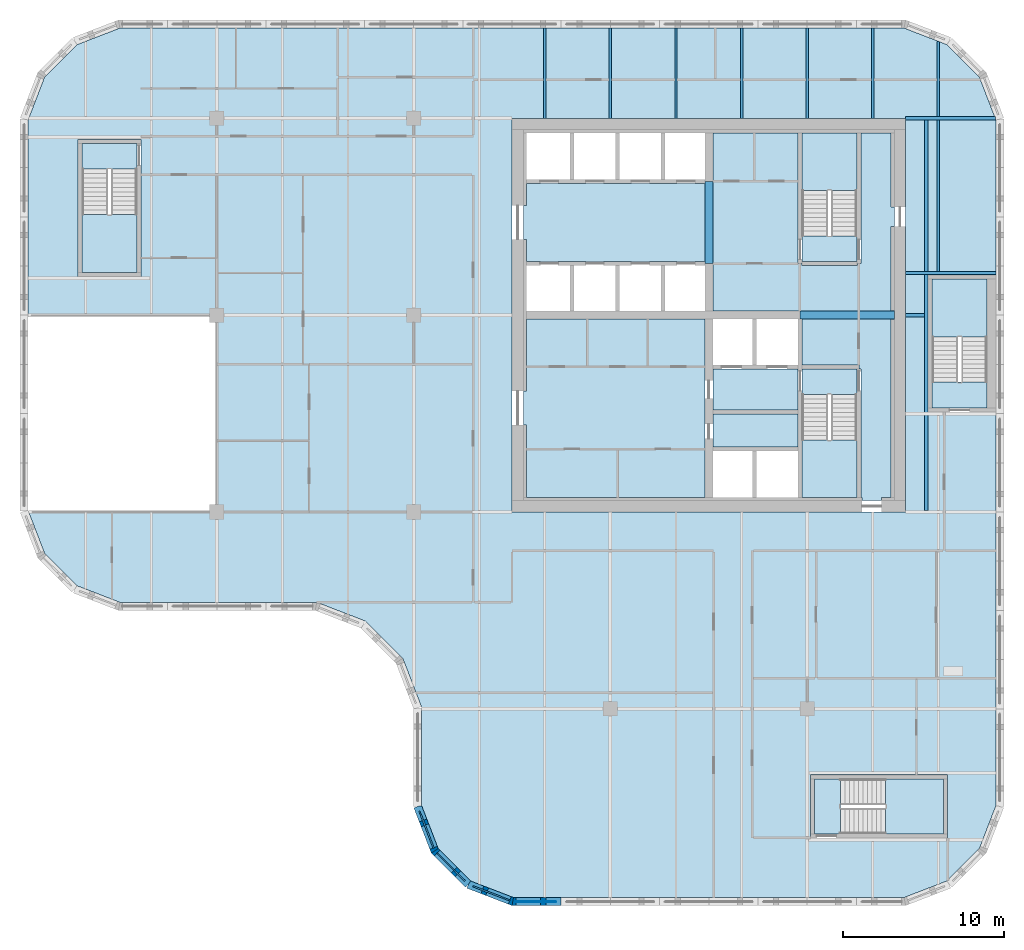
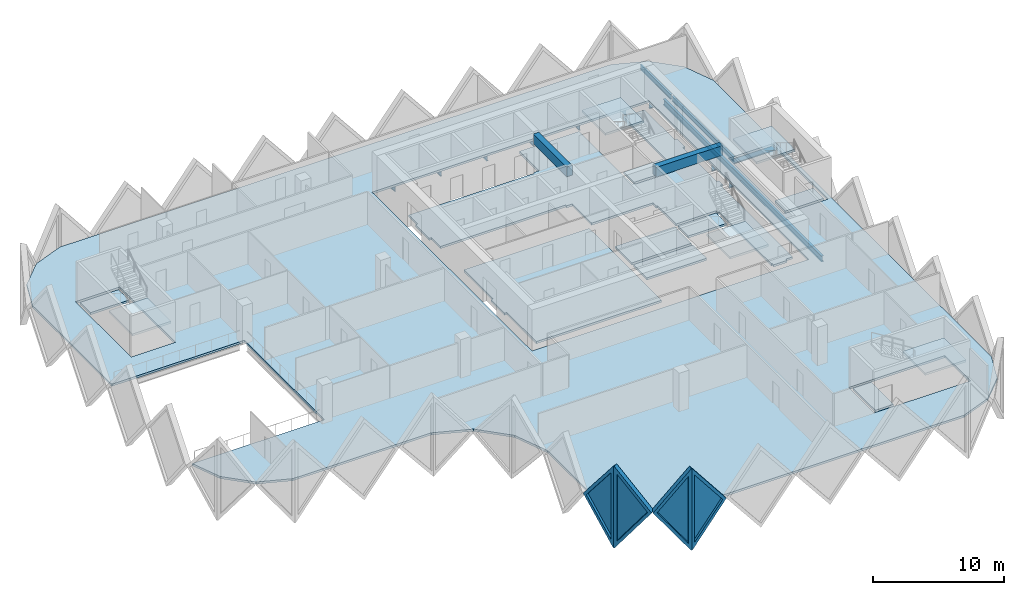
# One storey, part 2 of 12: 15 slabs, 14 beams, 4 plates, 4 walls, 4 openings, 5 elements without a shape of their own.
"""IFC4 building model written with IfcOpenShell, lengths in metres."""

from ifc_helpers import new_model, si_unit, direction, frame, origin, origin_2d, place, context, subcontext, project, spatial, polyline, rectangle, i_section, outline, extrude, faceted_brep, source, transform, mapped, material, layer, layer_set, material_profile, profile_set, type_object, element, fill, aggregate, save


model = new_model("IFC4")

# Units and contexts
model_context = context("Model", 3, precision=1e-05, world=origin(), true_north=direction((0.0, 1.0)))
body_context = subcontext(model_context, "Body", "Model", "MODEL_VIEW")
ifc_project = project(units=[si_unit("LENGTHUNIT", "METRE"), si_unit("AREAUNIT", "SQUARE_METRE"), si_unit("VOLUMEUNIT", "CUBIC_METRE"), si_unit("PLANEANGLEUNIT", "RADIAN"), si_unit("MASSUNIT", "GRAM", prefix="KILO")], contexts=[model_context])

# Site, building, storey
site_placement = place(None, origin())
site = spatial("IfcSite", under=ifc_project, at=site_placement, CompositionType="ELEMENT")
building_placement = place(site_placement, origin())
building = spatial("IfcBuilding", under=site, at=building_placement, Name="Tessera Gate Towers", CompositionType="ELEMENT")
storey_placement = place(building_placement, frame((0.0, 0.0, 127.800048828125)))
storey = spatial("IfcBuildingStorey", under=building, at=storey_placement, Name="L31", CompositionType="ELEMENT", Elevation=127.800048828125)

# Beams
ifc_material_1 = material(Name="Concrete C60/75", Category="concrete")
ifc_material_profile_1 = material_profile(ifc_material_1, rectangle(XDim=0.5, YDim=0.89990234375, at=origin_2d()), Name="RC 500x900")
ifc_profile_set_1 = profile_set([ifc_material_profile_1], Name="Concrete C60/75")
beam_type_1 = type_object("IfcBeamType", Name="COUPLING BEAM 500x900 C60/75", PredefinedType="BEAM", material=ifc_profile_set_1)
beam_1_placement = place(storey_placement, frame((48.35009765625, 36.60009765625, 3.14990234375), z_axis=(1.0, 0.0, 0.0), x_axis=(0.0, 1.0, 0.0)))
element("IfcBeam", 1, at=beam_1_placement, inside=storey, type_object=beam_type_1, Name="L31 coupling beam 1", PredefinedType="BEAM", context=body_context, shape_type="SweptSolid", body=[
    extrude(rectangle(XDim=0.5, YDim=0.89990234375, at=origin_2d()), origin(), (0.0, 0.0, 1.0), 5.849853515625),
])
beam_2_placement = place(storey_placement, frame((42.699951171875, 39.800048828125, 3.14990234375), z_axis=(0.0, 1.0, 0.0), x_axis=(-1.0, 0.0, 0.0)))
element("IfcBeam", 2, at=beam_2_placement, inside=storey, type_object=beam_type_1, Name="L31 coupling beam 2", PredefinedType="BEAM", context=body_context, shape_type="SweptSolid", body=[
    extrude(rectangle(XDim=0.5, YDim=0.89990234375, at=origin_2d()), origin(), (0.0, 0.0, 1.0), 5.099853515625),
])
ifc_material_2 = material(Name="Steel 350W", Category="steel")
ifc_material_profile_2 = material_profile(ifc_material_2, i_section(OverallWidth=0.208984375, OverallDepth=0.532958984375, WebThickness=0.01025390625, FlangeThickness=0.015625, at=origin_2d()), Name="W530x92")
ifc_profile_set_2 = profile_set([ifc_material_profile_2], Name="Steel 350W")
beam_type_2 = type_object("IfcBeamType", Name="FLOOR GIRDER W530x92", PredefinedType="BEAM", material=ifc_profile_set_2)
beam_3_placement = place(storey_placement, frame((54.89892578125, 36.60009765625, -0.466552734375), z_axis=(1.0, 0.0, 0.0), x_axis=(0.0, 1.0, 0.0)))
element("IfcBeam", 3, at=beam_3_placement, inside=storey, type_object=beam_type_2, Name="T1-GD-L31-3862", PredefinedType="BEAM", context=body_context, shape_type="SweptSolid", body=[
    extrude(i_section(OverallWidth=0.208984375, OverallDepth=0.532958984375, WebThickness=0.01025390625, FlangeThickness=0.015625, at=origin_2d()), origin(), (0.0, 0.0, 1.0), 1.176513671875),
])
beam_4_placement = place(storey_placement, frame((54.90087890625, 48.800048828125, -0.466552734375), z_axis=(1.0, 0.0, 0.0), x_axis=(0.0, 1.0, 0.0)))
element("IfcBeam", 4, at=beam_4_placement, inside=storey, type_object=beam_type_2, Name="T1-GD-L31-3866", PredefinedType="BEAM", context=body_context, shape_type="SweptSolid", body=[
    extrude(i_section(OverallWidth=0.208984375, OverallDepth=0.532958984375, WebThickness=0.01025390625, FlangeThickness=0.015625, at=origin_2d()), origin(), (0.0, 0.0, 1.0), 5.564208984375),
])
beam_5_placement = place(storey_placement, frame((54.89892578125, 39.219970703125, -0.466552734375), z_axis=(1.0, 0.0, 0.0), x_axis=(0.0, 1.0, 0.0)))
element("IfcBeam", 5, at=beam_5_placement, inside=storey, type_object=beam_type_2, Name="T1-GD-L31-3884", PredefinedType="BEAM", context=body_context, shape_type="SweptSolid", body=[
    extrude(i_section(OverallWidth=0.208984375, OverallDepth=0.532958984375, WebThickness=0.01025390625, FlangeThickness=0.015625, at=origin_2d()), origin(), (0.0, 0.0, 1.0), 5.60205078125),
])
beam_6_placement = place(storey_placement, frame((56.179931640625, 24.50439453125, -0.466552734375), z_axis=(0.0, 1.0, 0.0), x_axis=(-1.0, 0.0, 0.0)))
element("IfcBeam", 6, at=beam_6_placement, inside=storey, type_object=beam_type_2, Name="T1-GD-L31-3885", PredefinedType="BEAM", context=body_context, shape_type="SweptSolid", body=[
    extrude(i_section(OverallWidth=0.208984375, OverallDepth=0.532958984375, WebThickness=0.01025390625, FlangeThickness=0.015625, at=origin_2d()), origin(), (0.0, 0.0, 1.0), 24.191162109375),
])
ifc_material_3 = material(Name="Steel 350W", Category="steel")
ifc_material_profile_3 = material_profile(ifc_material_3, i_section(OverallWidth=0.153076171875, OverallDepth=0.455078125, WebThickness=0.008056640625, FlangeThickness=0.01318359375, at=origin_2d()), Name="W460x60")
ifc_profile_set_3 = profile_set([ifc_material_profile_3], Name="Steel 350W")
beam_type_3 = type_object("IfcBeamType", Name="FLOOR SECONDARY W460x60", PredefinedType="BEAM", material=ifc_profile_set_3)
for number, where, z_axis, x_axis, name in (
    (7, (32.533203125, 48.800048828125, -0.427490234375), (0.0, 1.0, 0.0), (-1.0, 0.0, 0.0), "T1-BM-L31-3907"),
    (8, (36.60009765625, 48.800048828125, -0.427490234375), (0.0, 1.0, 0.0), (-1.0, 0.0, 0.0), "T1-BM-L31-3908"),
    (9, (40.666748046875, 48.800048828125, -0.427490234375), (0.0, 1.0, 0.0), (-1.0, 0.0, 0.0), "T1-BM-L31-3911"),
    (10, (44.7333984375, 48.800048828125, -0.427490234375), (0.0, 1.0, 0.0), (-1.0, 0.0, 0.0), "T1-BM-L31-3914"),
    (11, (48.800048828125, 48.800048828125, -0.427490234375), (0.0, 1.0, 0.0), (-1.0, 0.0, 0.0), "T1-BM-L31-3915"),
    (12, (52.86669921875, 48.800048828125, -0.427490234375), (0.0, 1.0, 0.0), (-1.0, 0.0, 0.0), "T1-BM-L31-3919"),
):
    element("IfcBeam", number, at=place(storey_placement, frame(where, z_axis=z_axis, x_axis=x_axis)), inside=storey, type_object=beam_type_3, Name=name, PredefinedType="BEAM", context=body_context, shape_type="SweptSolid", body=[
        extrude(i_section(OverallWidth=0.153076171875, OverallDepth=0.455078125, WebThickness=0.008056640625, FlangeThickness=0.01318359375, at=origin_2d()), origin(), (0.0, 0.0, 1.0), 5.599853515625),
    ])
beam_7_placement = place(storey_placement, frame((56.933349609375, 39.324462890625, -0.427490234375), z_axis=(0.0, 1.0, 0.0), x_axis=(-1.0, 0.0, 0.0)))
element("IfcBeam", 13, at=beam_7_placement, inside=storey, type_object=beam_type_3, Name="T1-BM-L31-3924", PredefinedType="BEAM", context=body_context, shape_type="SweptSolid", body=[
    extrude(i_section(OverallWidth=0.153076171875, OverallDepth=0.455078125, WebThickness=0.008056640625, FlangeThickness=0.01318359375, at=origin_2d()), origin(), (0.0, 0.0, 1.0), 9.37109375),
])
beam_8_placement = place(storey_placement, frame((56.933349609375, 48.904541015625, -0.427490234375), z_axis=(0.0, 1.0, 0.0), x_axis=(-1.0, 0.0, 0.0)))
element("IfcBeam", 14, at=beam_8_placement, inside=storey, type_object=beam_type_3, Name="T1-BM-L31-3925", PredefinedType="BEAM", context=body_context, shape_type="SweptSolid", body=[
    extrude(i_section(OverallWidth=0.153076171875, OverallDepth=0.455078125, WebThickness=0.008056640625, FlangeThickness=0.01318359375, at=origin_2d()), origin(), (0.0, 0.0, 1.0), 4.675048828125),
])

# Slabs
ifc_material_4 = material(Name="Concrete C35/45", Category="concrete")
ifc_layer_1 = layer(ifc_material_4, 0.199951171875)
ifc_layer_set_1 = layer_set([ifc_layer_1], Name="COMPOSITE FLOOR 200")
slab_type_1 = type_object("IfcSlabType", Name="COMPOSITE FLOOR 200", PredefinedType="FLOOR", material=ifc_layer_set_1)
slab_1_placement = place(storey_placement, frame((0.0, 0.0, -0.199951171875)))
element("IfcSlab", 15, at=slab_1_placement, inside=storey, type_object=slab_type_1, Name="T1-L31", PredefinedType="FLOOR", context=body_context, shape_type="SweptSolid", body=[
    extrude(outline(polyline([(0.5, 36.60009765625), (12.199951171875, 36.60009765625), (12.199951171875, 24.39990234375), (0.535888671875, 24.39990234375), (1.526123046875, 21.8330078125), (3.533203125, 19.826171875), (6.193115234375, 18.800048828125), (18.39306640625, 18.800048828125), (21.42431640625, 17.630615234375), (23.730712890625, 15.32421875), (24.89990234375, 12.293212890625), (24.89990234375, 6.193115234375), (25.926025390625, 3.533203125), (27.93310546875, 1.526123046875), (30.593017578125, 0.5), (54.806884765625, 0.5), (57.466796875, 1.526123046875), (59.473876953125, 3.533203125), (60.5, 6.193115234375), (60.5, 48.706787109375), (59.473876953125, 51.366943359375), (57.466796875, 53.373779296875), (54.806884765625, 54.39990234375), (6.193115234375, 54.39990234375), (3.533203125, 53.373779296875), (1.526123046875, 51.366943359375), (0.5, 48.706787109375), (0.5, 36.60009765625)]), holes=[polyline([(3.60009765625, 39.0), (3.60009765625, 47.5), (7.5, 47.5), (7.5, 39.0), (3.60009765625, 39.0)]), polyline([(30.5, 24.39990234375), (30.5, 48.800048828125), (54.89990234375, 48.800048828125), (54.89990234375, 24.39990234375), (30.5, 24.39990234375)]), polyline([(49.0, 4.199951171875), (49.0, 8.10009765625), (57.5, 8.10009765625), (57.5, 4.199951171875), (49.0, 4.199951171875)]), polyline([(56.300048828125, 30.60009765625), (56.300048828125, 39.10009765625), (60.199951171875, 39.10009765625), (60.199951171875, 30.60009765625), (56.300048828125, 30.60009765625)])]), origin(), (0.0, 0.0, 1.0), 0.199951171875),
])
ifc_material_5 = material(Name="Concrete C35/45", Category="concrete")
ifc_layer_2 = layer(ifc_material_5, 0.199951171875)
ifc_layer_set_2 = layer_set([ifc_layer_2], Name="CORE FLOOR SLAB 200")
slab_type_2 = type_object("IfcSlabType", Name="CORE FLOOR SLAB 200", PredefinedType="FLOOR", material=ifc_layer_set_2)
slab_2_placement = place(storey_placement, frame((0.0, 0.0, -0.199951171875)))
element("IfcSlab", 16, at=slab_2_placement, inside=storey, type_object=slab_type_2, Name="L31 core floor slab", PredefinedType="FLOOR", context=body_context, shape_type="SweptSolid", body=[
    extrude(outline(polyline([(42.449951171875, 44.89990234375), (42.449951171875, 44.77490234375), (31.39990234375, 44.77490234375), (31.39990234375, 43.39990234375), (31.199951171875, 43.39990234375), (31.199951171875, 41.300048828125), (31.39990234375, 41.300048828125), (31.39990234375, 39.925048828125), (42.449951171875, 39.925048828125), (42.449951171875, 39.800048828125), (42.949951171875, 39.800048828125), (42.949951171875, 36.85009765625), (48.35009765625, 36.85009765625), (48.35009765625, 36.35009765625), (48.47509765625, 36.35009765625), (48.47509765625, 33.52490234375), (52.0, 33.52490234375), (52.0, 33.27490234375), (52.125, 33.27490234375), (52.125, 25.300048828125), (52.199951171875, 25.300048828125), (52.199951171875, 25.10009765625), (53.39990234375, 25.10009765625), (53.39990234375, 25.300048828125), (54.0, 25.300048828125), (54.0, 36.320068359375), (54.199951171875, 36.320068359375), (54.199951171875, 36.8798828125), (54.0, 36.8798828125), (54.0, 42.10009765625), (54.199951171875, 42.10009765625), (54.199951171875, 43.300048828125), (54.0, 43.300048828125), (54.0, 47.89990234375), (52.125, 47.89990234375), (52.125, 39.800048828125), (51.875, 39.800048828125), (51.875, 39.675048828125), (48.47509765625, 39.675048828125), (48.47509765625, 39.800048828125), (48.22509765625, 39.800048828125), (48.22509765625, 47.89990234375), (42.949951171875, 47.89990234375), (42.949951171875, 44.89990234375), (42.449951171875, 44.89990234375)])), origin(), (0.0, 0.0, 1.0), 0.199951171875),
])
slab_3_placement = place(storey_placement, frame((0.0, 0.0, -0.199951171875)))
element("IfcSlab", 17, at=slab_3_placement, inside=storey, type_object=slab_type_2, Name="L31 core floor slab", PredefinedType="FLOOR", context=body_context, shape_type="SweptSolid", body=[
    extrude(outline(polyline([(31.39990234375, 36.35009765625), (31.39990234375, 31.89990234375), (31.199951171875, 31.89990234375), (31.199951171875, 29.800048828125), (31.39990234375, 29.800048828125), (31.39990234375, 25.300048828125), (42.449951171875, 25.300048828125), (42.449951171875, 36.35009765625), (31.39990234375, 36.35009765625)])), origin(), (0.0, 0.0, 1.0), 0.199951171875),
])
slab_4_placement = place(storey_placement, frame((0.0, 0.0, -0.199951171875)))
element("IfcSlab", 18, at=slab_4_placement, inside=storey, type_object=slab_type_2, Name="L31 core floor slab", PredefinedType="FLOOR", context=body_context, shape_type="SweptSolid", body=[
    extrude(outline(polyline([(42.949951171875, 33.27490234375), (42.949951171875, 30.72509765625), (48.22509765625, 30.72509765625), (48.22509765625, 33.27490234375), (42.949951171875, 33.27490234375)])), origin(), (0.0, 0.0, 1.0), 0.199951171875),
])
slab_5_placement = place(storey_placement, frame((0.0, 0.0, -0.199951171875)))
element("IfcSlab", 19, at=slab_5_placement, inside=storey, type_object=slab_type_2, Name="L31 core floor slab", PredefinedType="FLOOR", context=body_context, shape_type="SweptSolid", body=[
    extrude(outline(polyline([(48.22509765625, 30.47509765625), (42.949951171875, 30.47509765625), (42.949951171875, 28.425048828125), (48.22509765625, 28.425048828125), (48.22509765625, 30.47509765625)])), origin(), (0.0, 0.0, 1.0), 0.199951171875),
])
slab_6_placement = place(storey_placement, frame((0.0, 0.0, -0.199951171875)))
element("IfcSlab", 20, at=slab_6_placement, inside=storey, type_object=slab_type_2, Name="L31 core floor slab", PredefinedType="FLOOR", context=body_context, shape_type="SweptSolid", body=[
    extrude(outline(polyline([(51.875, 31.675048828125), (51.875, 33.27490234375), (48.47509765625, 33.27490234375), (48.47509765625, 31.675048828125), (51.875, 31.675048828125)])), origin(), (0.0, 0.0, 1.0), 0.199951171875),
])
slab_7_placement = place(storey_placement, frame((0.0, 0.0, -0.199951171875)))
element("IfcSlab", 21, at=slab_7_placement, inside=storey, type_object=slab_type_2, Name="L31 core floor slab", PredefinedType="FLOOR", context=body_context, shape_type="SweptSolid", body=[
    extrude(outline(polyline([(48.47509765625, 41.52490234375), (48.47509765625, 39.925048828125), (51.875, 39.925048828125), (51.875, 41.52490234375), (48.47509765625, 41.52490234375)])), origin(), (0.0, 0.0, 1.0), 0.199951171875),
])
slab_8_placement = place(storey_placement, frame((0.0, 0.0, -0.199951171875)))
element("IfcSlab", 22, at=slab_8_placement, inside=storey, type_object=slab_type_2, Name="L31 ST3 floor landing", PredefinedType="FLOOR", context=body_context, shape_type="SweptSolid", body=[
    extrude(outline(polyline([(3.85009765625, 47.25), (3.85009765625, 45.64990234375), (7.25, 45.64990234375), (7.25, 47.25), (3.85009765625, 47.25)])), origin(), (0.0, 0.0, 1.0), 0.199951171875),
])
slab_9_placement = place(storey_placement, frame((0.0, 0.0, -0.199951171875)))
element("IfcSlab", 23, at=slab_9_placement, inside=storey, type_object=slab_type_2, Name="L31 ST4 floor landing", PredefinedType="FLOOR", context=body_context, shape_type="SweptSolid", body=[
    extrude(outline(polyline([(49.25, 4.449951171875), (50.85009765625, 4.449951171875), (50.85009765625, 7.85009765625), (49.25, 7.85009765625), (49.25, 4.449951171875)])), origin(), (0.0, 0.0, 1.0), 0.199951171875),
])
slab_10_placement = place(storey_placement, frame((0.0, 0.0, -0.199951171875)))
element("IfcSlab", 24, at=slab_10_placement, inside=storey, type_object=slab_type_2, Name="L31 ST5 floor landing", PredefinedType="FLOOR", context=body_context, shape_type="SweptSolid", body=[
    extrude(outline(polyline([(59.949951171875, 30.85009765625), (59.949951171875, 32.449951171875), (56.550048828125, 32.449951171875), (56.550048828125, 30.85009765625), (59.949951171875, 30.85009765625)])), origin(), (0.0, 0.0, 1.0), 0.199951171875),
])

# Stair, slab
ifc_material_6 = material(Name="Concrete C40/50", Category="concrete")
stair_type_1 = type_object("IfcStairType", Name="EXIT STAIR ST1 1600", PredefinedType="HALF_TURN_STAIR", material=ifc_material_6)
stair_1_placement = place(storey_placement, origin())
stair_1 = element("IfcStair", 25, at=stair_1_placement, inside=storey, type_object=stair_type_1, Name="L31 Protected Exit Stair ST1", PredefinedType="HALF_TURN_STAIR")
ifc_material_7 = material(Name="Concrete C40/50", Category="concrete")
ifc_layer_3 = layer(ifc_material_7, 0.199951171875)
ifc_layer_set_3 = layer_set([ifc_layer_3], Name="EXIT STAIR LANDING 200")
slab_type_3 = type_object("IfcSlabType", Name="EXIT STAIR LANDING 200", PredefinedType="LANDING", material=ifc_layer_set_3)
slab_11_placement = place(storey_placement, frame((0.0, 0.0, 1.699951171875)))
slab_11 = element("IfcSlab", 26, at=slab_11_placement, type_object=slab_type_3, Name="ST1 landing 1", PredefinedType="LANDING", context=body_context, shape_type="SweptSolid", body=[
    extrude(outline(polyline([(48.47509765625, 28.875), (48.47509765625, 25.300048828125), (51.875, 25.300048828125), (51.875, 28.875), (48.47509765625, 28.875)])), origin(), (0.0, 0.0, 1.0), 0.199951171875),
])
aggregate(stair_1, [slab_11])

ifc_material_8 = material(Name="Concrete C40/50", Category="concrete")
stair_type_2 = type_object("IfcStairType", Name="EXIT STAIR ST2 1600", PredefinedType="HALF_TURN_STAIR", material=ifc_material_8)
stair_2_placement = place(storey_placement, origin())
stair_2 = element("IfcStair", 27, at=stair_2_placement, inside=storey, type_object=stair_type_2, Name="L31 Protected Exit Stair ST2", PredefinedType="HALF_TURN_STAIR")
slab_12_placement = place(storey_placement, frame((0.0, 0.0, 1.699951171875)))
slab_12 = element("IfcSlab", 28, at=slab_12_placement, type_object=slab_type_3, Name="ST2 landing 1", PredefinedType="LANDING", context=body_context, shape_type="SweptSolid", body=[
    extrude(outline(polyline([(51.875, 44.324951171875), (51.875, 47.89990234375), (48.47509765625, 47.89990234375), (48.47509765625, 44.324951171875), (51.875, 44.324951171875)])), origin(), (0.0, 0.0, 1.0), 0.199951171875),
])
aggregate(stair_2, [slab_12])

ifc_material_9 = material(Name="Concrete C40/50", Category="concrete")
stair_type_3 = type_object("IfcStairType", Name="EXIT STAIR ST3 1600", PredefinedType="HALF_TURN_STAIR", material=ifc_material_9)
stair_3_placement = place(storey_placement, origin())
stair_3 = element("IfcStair", 29, at=stair_3_placement, inside=storey, type_object=stair_type_3, Name="L31 West Exit Stair ST3", PredefinedType="HALF_TURN_STAIR")
slab_13_placement = place(storey_placement, frame((0.0, 0.0, 1.699951171875)))
slab_13 = element("IfcSlab", 30, at=slab_13_placement, type_object=slab_type_3, Name="ST3 landing 1", PredefinedType="LANDING", context=body_context, shape_type="SweptSolid", body=[
    extrude(outline(polyline([(3.85009765625, 42.85009765625), (3.85009765625, 39.25), (7.25, 39.25), (7.25, 42.85009765625), (3.85009765625, 42.85009765625)])), origin(), (0.0, 0.0, 1.0), 0.199951171875),
])
aggregate(stair_3, [slab_13])

ifc_material_10 = material(Name="Concrete C40/50", Category="concrete")
stair_type_4 = type_object("IfcStairType", Name="EXIT STAIR ST4 1600", PredefinedType="HALF_TURN_STAIR", material=ifc_material_10)
stair_4_placement = place(storey_placement, origin())
stair_4 = element("IfcStair", 31, at=stair_4_placement, inside=storey, type_object=stair_type_4, Name="L31 South Exit Stair ST4", PredefinedType="HALF_TURN_STAIR")
slab_14_placement = place(storey_placement, frame((0.0, 0.0, 1.699951171875)))
slab_14 = element("IfcSlab", 32, at=slab_14_placement, type_object=slab_type_3, Name="ST4 landing 1", PredefinedType="LANDING", context=body_context, shape_type="SweptSolid", body=[
    extrude(outline(polyline([(53.64990234375, 4.449951171875), (57.25, 4.449951171875), (57.25, 7.85009765625), (53.64990234375, 7.85009765625), (53.64990234375, 4.449951171875)])), origin(), (0.0, 0.0, 1.0), 0.199951171875),
])
aggregate(stair_4, [slab_14])

ifc_material_11 = material(Name="Concrete C40/50", Category="concrete")
stair_type_5 = type_object("IfcStairType", Name="EXIT STAIR ST5 1600", PredefinedType="HALF_TURN_STAIR", material=ifc_material_11)
stair_5_placement = place(storey_placement, origin())
stair_5 = element("IfcStair", 33, at=stair_5_placement, inside=storey, type_object=stair_type_5, Name="L31 East Exit Stair ST5", PredefinedType="HALF_TURN_STAIR")
slab_15_placement = place(storey_placement, frame((0.0, 0.0, 1.699951171875)))
slab_15 = element("IfcSlab", 34, at=slab_15_placement, type_object=slab_type_3, Name="ST5 landing 1", PredefinedType="LANDING", context=body_context, shape_type="SweptSolid", body=[
    extrude(outline(polyline([(59.949951171875, 35.25), (59.949951171875, 38.85009765625), (56.550048828125, 38.85009765625), (56.550048828125, 35.25), (59.949951171875, 35.25)])), origin(), (0.0, 0.0, 1.0), 0.199951171875),
])
aggregate(stair_5, [slab_15])

# Wall, opening, plate
ifc_material_12 = material(Name="Precast concrete C60/75 white", Category="concrete")
ifc_layer_4 = layer(ifc_material_12, 0.5)
ifc_layer_set_4 = layer_set([ifc_layer_4], Name="TS3 corner tessera")
wall_type = type_object("IfcWallType", Name="TS3 corner tessera", PredefinedType="SOLIDWALL", material=ifc_layer_set_4)
shared_shape_1 = source(origin(), body_context, "Body", "Brep", [
    faceted_brep([(2.950439453125, -0.25, 0.0), (3.00341796875, -0.25, 0.068359375), (3.00341796875, -0.25, 7.53173828125), (2.950439453125, -0.25, 7.60009765625), (0.0, -0.25, 3.800048828125), (0.046630859375, 0.25, 3.860107421875), (2.897705078125, 0.25, 7.531982421875), (2.897705078125, 0.25, 0.068115234375), (0.046630859375, 0.25, 3.739990234375), (2.950439453125, 0.00048828125, 0.0), (2.950439453125, 0.00048828125, 7.60009765625), (0.0, 0.0, 3.800048828125)], [[[0, 1, 2, 3, 4]], [[5, 6, 7, 8]], [[1, 0, 9]], [[10, 3, 2]], [[6, 5, 11, 4, 3, 10]], [[8, 7, 9, 0, 4, 11]], [[8, 11, 5]], [[1, 9, 7, 6, 10, 2]]]),
])
wall_1_placement = place(storey_placement, frame((24.64990234375, 6.146484375, -3.800048828125), z_axis=(0.0, 0.0, 1.0), x_axis=(0.359953949349, -0.932970071518, 0.0)))
wall_1 = element("IfcWall", 35, at=wall_1_placement, inside=storey, type_object=wall_type, Name="Precast corner tessera T1 TS3-0719", PredefinedType="SOLIDWALL", context=body_context, shape_type="MappedRepresentation", body=[
    mapped(shared_shape_1, transform((0.0, 0.0, 0.0), scale=1.0)),
])
shared_shape_2 = source(origin(), body_context, "Body", "SweptSolid", [
    extrude(outline(polyline([(2.75048828125, 6.934814453125), (0.31640625, 3.800048828125), (2.75048828125, 0.665283203125), (2.75048828125, 6.934814453125)])), frame((0.0, 0.260009765625, 0.0), z_axis=(0.0, -1.0, 0.0), x_axis=(1.0, 0.0, 0.0)), (0.0, 0.0, 1.0), 0.52001953125),
])
opening_1_placement = place(wall_1_placement, origin())
opening_1 = element("IfcOpeningElement", 36, at=opening_1_placement, cuts=wall_1, Name="Opening T1-PL2-1079", PredefinedType="OPENING", context=body_context, shape_type="MappedRepresentation", body=[
    mapped(shared_shape_2, transform((0.0, 0.0, 0.0), scale=1.0)),
])
ifc_material_13 = material(Name="Low-e laminated glass", Category="glass")
ifc_layer_5 = layer(ifc_material_13, 0.06005859375)
ifc_layer_set_5 = layer_set([ifc_layer_5], Name="PL2 rhombic pane")
plate_type = type_object("IfcPlateType", Name="PL2 rhombic pane", PredefinedType="SHEET", material=ifc_layer_set_5)
shared_shape_3 = source(origin(), body_context, "Body", "SweptSolid", [
    extrude(outline(polyline([(2.75048828125, 6.934814453125), (0.31640625, 3.800048828125), (2.75048828125, 0.665283203125), (2.75048828125, 6.934814453125)])), frame((0.0, 0.030029296875, 0.0), z_axis=(0.0, -1.0, 0.0), x_axis=(1.0, 0.0, 0.0)), (0.0, 0.0, 1.0), 0.06005859375),
])
plate_1_placement = place(opening_1_placement, origin())
plate_1 = element("IfcPlate", 37, at=plate_1_placement, inside=storey, type_object=plate_type, Name="Glass pane T1 PL2-1079", PredefinedType="SHEET", context=body_context, shape_type="MappedRepresentation", body=[
    mapped(shared_shape_3, transform((0.0, 0.0, 0.0), scale=1.0)),
])
fill(opening_1, plate_1)

shared_shape_4 = source(origin(), body_context, "Body", "Brep", [
    faceted_brep([(0.046630859375, -0.25, 0.0), (3.050048828125, -0.25, 3.800048828125), (0.046630859375, -0.25, 7.60009765625), (0.0, -0.25, 7.5400390625), (0.0, -0.25, 0.06005859375), (0.09326171875, 0.25, 7.541259765625), (3.050048828125, 0.25, 3.800048828125), (0.09326171875, 0.25, 0.058837890625), (0.046630859375, 0.0, 0.0), (0.046630859375, 0.0, 7.60009765625)], [[[0, 1, 2, 3, 4]], [[5, 6, 7]], [[7, 6, 1, 0, 8]], [[6, 5, 9, 2, 1]], [[3, 2, 9]], [[8, 0, 4]], [[7, 8, 4, 3, 9, 5]]]),
])
wall_2_placement = place(storey_placement, frame((30.5, 0.25, -3.800048828125), z_axis=(0.0, 0.0, 1.0), x_axis=(1.0, 0.0, 0.0)))
wall_2 = element("IfcWall", 38, at=wall_2_placement, inside=storey, type_object=wall_type, Name="Precast corner tessera T1 TS3-0697", PredefinedType="SOLIDWALL", context=body_context, shape_type="MappedRepresentation", body=[
    mapped(shared_shape_4, transform((0.0, 0.0, 0.0), scale=1.0)),
])
shared_shape_5 = source(origin(), body_context, "Body", "SweptSolid", [
    extrude(outline(polyline([(0.24658203125, 0.65625), (2.7314453125, 3.800048828125), (0.24658203125, 6.94384765625), (0.24658203125, 0.65625)])), frame((0.0, 0.260009765625, 0.0), z_axis=(0.0, -1.0, 0.0), x_axis=(1.0, 0.0, 0.0)), (0.0, 0.0, 1.0), 0.52001953125),
])
opening_2_placement = place(wall_2_placement, origin())
opening_2 = element("IfcOpeningElement", 39, at=opening_2_placement, cuts=wall_2, Name="Opening T1-PL2-1034", PredefinedType="OPENING", context=body_context, shape_type="MappedRepresentation", body=[
    mapped(shared_shape_5, transform((0.0, 0.0, 0.0), scale=1.0)),
])
shared_shape_6 = source(origin(), body_context, "Body", "SweptSolid", [
    extrude(outline(polyline([(0.24658203125, 0.65625), (2.7314453125, 3.800048828125), (0.24658203125, 6.94384765625), (0.24658203125, 0.65625)])), frame((0.0, 0.030029296875, 0.0), z_axis=(0.0, -1.0, 0.0), x_axis=(1.0, 0.0, 0.0)), (0.0, 0.0, 1.0), 0.06005859375),
])
plate_2_placement = place(opening_2_placement, origin())
plate_2 = element("IfcPlate", 40, at=plate_2_placement, inside=storey, type_object=plate_type, Name="Glass pane T1 PL2-1034", PredefinedType="SHEET", context=body_context, shape_type="MappedRepresentation", body=[
    mapped(shared_shape_6, transform((0.0, 0.0, 0.0), scale=1.0)),
])
fill(opening_2, plate_2)

shared_shape_7 = source(origin(), body_context, "Body", "Brep", [
    faceted_brep([(0.052978515625, -0.25, 0.0), (2.9970703125, -0.25, 3.800048828125), (0.052978515625, -0.25, 7.60009765625), (0.0, -0.25, 7.531982421875), (0.0, -0.25, 0.068115234375), (0.10595703125, 0.25, 7.53173828125), (2.944091796875, 0.25, 3.8681640625), (2.944091796875, 0.25, 3.73193359375), (0.10595703125, 0.25, 0.068359375), (2.9970703125, 0.000244140625, 3.800048828125), (0.052978515625, 0.0, 0.0), (0.052978515625, 0.0, 7.60009765625)], [[[0, 1, 2, 3, 4]], [[5, 6, 7, 8]], [[8, 7, 9, 1, 0, 10]], [[6, 5, 11, 2, 1, 9]], [[3, 2, 11]], [[10, 0, 4]], [[8, 10, 4, 3, 11, 5]], [[9, 7, 6]]]),
])
wall_3_placement = place(storey_placement, frame((25.674560546875, 3.43115234375, -3.800048828125), z_axis=(0.0, 0.0, 1.0), x_axis=(0.707106781187, -0.707106781187, 0.0)))
wall_3 = element("IfcWall", 41, at=wall_3_placement, inside=storey, type_object=wall_type, Name="Precast corner tessera T1 TS3-0720", PredefinedType="SOLIDWALL", context=body_context, shape_type="MappedRepresentation", body=[
    mapped(shared_shape_7, transform((0.0, 0.0, 0.0), scale=1.0)),
])
shared_shape_8 = source(origin(), body_context, "Body", "SweptSolid", [
    extrude(outline(polyline([(0.2529296875, 0.666259765625), (2.680908203125, 3.800048828125), (0.2529296875, 6.93359375), (0.2529296875, 0.666259765625)])), frame((0.0, 0.260009765625, 0.0), z_axis=(0.0, -1.0, 0.0), x_axis=(1.0, 0.0, 0.0)), (0.0, 0.0, 1.0), 0.52001953125),
])
opening_3_placement = place(wall_3_placement, origin())
opening_3 = element("IfcOpeningElement", 42, at=opening_3_placement, cuts=wall_3, Name="Opening T1-PL2-1080", PredefinedType="OPENING", context=body_context, shape_type="MappedRepresentation", body=[
    mapped(shared_shape_8, transform((0.0, 0.0, 0.0), scale=1.0)),
])
shared_shape_9 = source(origin(), body_context, "Body", "SweptSolid", [
    extrude(outline(polyline([(0.2529296875, 0.666259765625), (2.680908203125, 3.800048828125), (0.2529296875, 6.93359375), (0.2529296875, 0.666259765625)])), frame((0.0, 0.030029296875, 0.0), z_axis=(0.0, -1.0, 0.0), x_axis=(1.0, 0.0, 0.0)), (0.0, 0.0, 1.0), 0.06005859375),
])
plate_3_placement = place(opening_3_placement, origin())
plate_3 = element("IfcPlate", 43, at=plate_3_placement, inside=storey, type_object=plate_type, Name="Glass pane T1 PL2-1080", PredefinedType="SHEET", context=body_context, shape_type="MappedRepresentation", body=[
    mapped(shared_shape_9, transform((0.0, 0.0, 0.0), scale=1.0)),
])
fill(opening_3, plate_3)

shared_shape_10 = source(origin(), body_context, "Body", "Brep", [
    faceted_brep([(2.950439453125, -0.25, 0.0), (2.9970703125, -0.25, 0.05908203125), (2.9970703125, -0.25, 7.541015625), (2.950439453125, -0.25, 7.60009765625), (0.0, -0.25, 3.800048828125), (0.052978515625, 0.25, 3.8681640625), (2.904052734375, 0.25, 7.540283203125), (2.904052734375, 0.25, 0.059814453125), (0.052978515625, 0.25, 3.73193359375), (2.950439453125, 0.00048828125, 0.0), (2.950439453125, 0.00048828125, 7.60009765625), (0.0, 0.0, 3.800048828125)], [[[0, 1, 2, 3, 4]], [[5, 6, 7, 8]], [[1, 0, 9]], [[10, 3, 2]], [[6, 5, 11, 4, 3, 10]], [[8, 7, 9, 0, 4, 11]], [[8, 11, 5]], [[1, 9, 7, 6, 10, 2]]]),
])
wall_4_placement = place(storey_placement, frame((27.793701171875, 1.31201171875, -3.800048828125), z_axis=(0.0, 0.0, 1.0), x_axis=(0.932973525033, -0.359944998003, 0.0)))
wall_4 = element("IfcWall", 44, at=wall_4_placement, inside=storey, type_object=wall_type, Name="Precast corner tessera T1 TS3-0698", PredefinedType="SOLIDWALL", context=body_context, shape_type="MappedRepresentation", body=[
    mapped(shared_shape_10, transform((0.0, 0.0, 0.0), scale=1.0)),
])
opening_4_placement = place(wall_4_placement, origin())
opening_4 = element("IfcOpeningElement", 45, at=opening_4_placement, cuts=wall_4, Name="Opening T1-PL2-1035", PredefinedType="OPENING", context=body_context, shape_type="MappedRepresentation", body=[
    mapped(shared_shape_2, transform((0.0, 0.0, 0.0), scale=1.0)),
])
plate_4_placement = place(opening_4_placement, origin())
plate_4 = element("IfcPlate", 46, at=plate_4_placement, inside=storey, type_object=plate_type, Name="Glass pane T1 PL2-1035", PredefinedType="SHEET", context=body_context, shape_type="MappedRepresentation", body=[
    mapped(shared_shape_3, transform((0.0, 0.0, 0.0), scale=1.0)),
])
fill(opening_4, plate_4)

save(model, "model.ifc")
